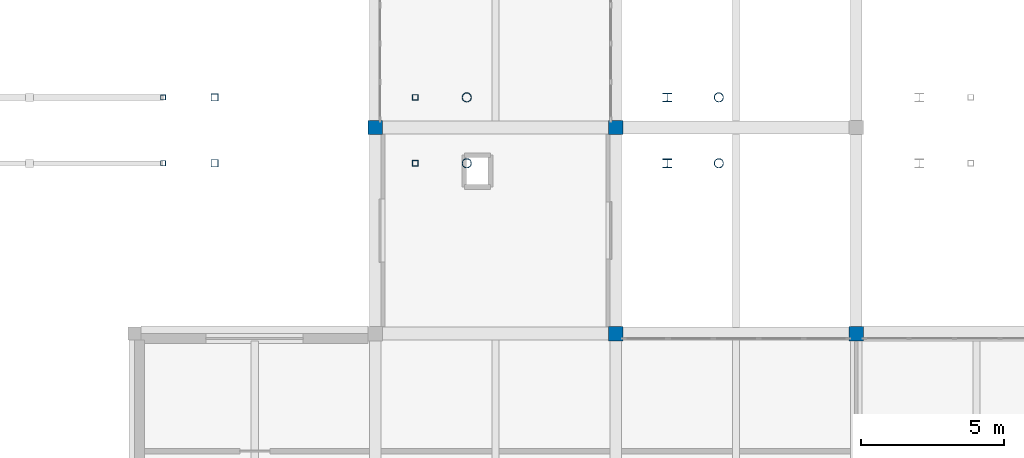
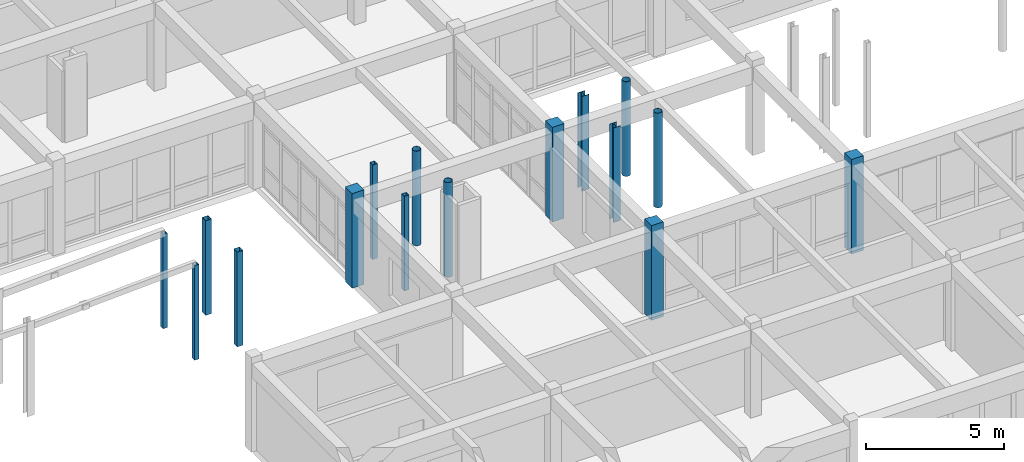
# One storey, part 6 of 147: 16 columns.
"""IFC4 building model written with IfcOpenShell, lengths in metres."""

from ifc_helpers import new_model, si_unit, direction, frame, origin, origin_2d, place, context, subcontext, project, spatial, rectangle, hollow_rectangle, hollow_circle, i_section, extrude, material, material_profile, profile_set, type_object, element, save


model = new_model("IFC4")

# Units and contexts
model_context = context("Model", 3, precision=1e-05, world=origin(), true_north=direction((0.0, 1.0)))
body_context = subcontext(model_context, "Body", "Model", "MODEL_VIEW")
ifc_project = project(units=[si_unit("LENGTHUNIT", "METRE"), si_unit("AREAUNIT", "SQUARE_METRE"), si_unit("VOLUMEUNIT", "CUBIC_METRE"), si_unit("PLANEANGLEUNIT", "RADIAN"), si_unit("MASSUNIT", "GRAM", prefix="KILO")], contexts=[model_context])

# Site, building, storey
site_placement = place(None, origin())
site = spatial("IfcSite", under=ifc_project, at=site_placement, CompositionType="ELEMENT")
building_placement = place(site_placement, origin())
building = spatial("IfcBuilding", under=site, at=building_placement, Name="Malvenik Polytechnic", CompositionType="ELEMENT")
storey_placement = place(building_placement, frame((0.0, 0.0, 5.10009765625)))
storey = spatial("IfcBuildingStorey", under=building, at=storey_placement, Name="L01", CompositionType="ELEMENT", Elevation=5.10009765625)

# Columns
ifc_material_1 = material(Name="Concrete C35/45", Category="concrete")
ifc_material_profile_1 = material_profile(ifc_material_1, rectangle(XDim=0.5, YDim=0.5, at=origin_2d()), Name="RC COL 500x500")
ifc_profile_set_1 = profile_set([ifc_material_profile_1], Name="Concrete C35/45")
column_type_1 = type_object("IfcColumnType", Name="STR-COL-C-08", PredefinedType="COLUMN", material=ifc_profile_set_1)
for number, where, z_axis, x_axis, name in (
    (1, (75.60009765625, 43.199951171875, 0.0), (0.0, 0.0, 1.0), (1.0, 0.0, 0.0), "Column C-08 L01 (75.6,43.2)"),
    (2, (84.0, 36.0, 0.0), (0.0, 0.0, 1.0), (1.0, 0.0, 0.0), "Column C-08 L01 (84.0,36.0)"),
    (3, (84.0, 43.199951171875, 0.0), (0.0, 0.0, 1.0), (1.0, 0.0, 0.0), "Column C-08 L01 (84.0,43.2)"),
    (4, (92.39990234375, 36.0, 0.0), (0.0, 0.0, 1.0), (1.0, 0.0, 0.0), "Column C-08 L01 (92.4,36.0)"),
):
    element("IfcColumn", number, at=place(storey_placement, frame(where, z_axis=z_axis, x_axis=x_axis)), inside=storey, type_object=column_type_1, Name=name, PredefinedType="COLUMN", context=body_context, shape_type="SweptSolid", body=[
        extrude(rectangle(XDim=0.5, YDim=0.5, at=origin_2d()), origin(), (0.0, 0.0, 1.0), 4.199951171875),
    ])
ifc_material_2 = material(Name="Steel S355J2H", Category="steel")
ifc_material_profile_2 = material_profile(ifc_material_2, hollow_rectangle(XDim=0.25, YDim=0.25, WallThickness=0.010009765625, at=origin_2d()), Name="SHS 250x250x10.0")
ifc_profile_set_2 = profile_set([ifc_material_profile_2], Name="Steel S355J2H")
column_type_2 = type_object("IfcColumnType", Name="STR-SCOL-SC-01", PredefinedType="COLUMN", material=ifc_profile_set_2)
for number, where, z_axis, x_axis, name in (
    (5, (70.0, 41.949951171875, 0.0), (0.0, 0.0, 1.0), (1.0, 0.0, 0.0), "Bridge-Ramp Support Column SC-01 L01"),
    (6, (70.0, 44.25, 0.0), (0.0, 0.0, 1.0), (1.0, 0.0, 0.0), "Bridge-Ramp Support Column SC-01 L01"),
):
    element("IfcColumn", number, at=place(storey_placement, frame(where, z_axis=z_axis, x_axis=x_axis)), inside=storey, type_object=column_type_2, Name=name, PredefinedType="COLUMN", context=body_context, shape_type="SweptSolid", body=[
        extrude(hollow_rectangle(XDim=0.25, YDim=0.25, WallThickness=0.010009765625, at=origin_2d()), origin(), (0.0, 0.0, 1.0), 4.199951171875),
    ])
ifc_material_profile_3 = material_profile(ifc_material_2, hollow_rectangle(XDim=0.199951171875, YDim=0.199951171875, WallThickness=0.010009765625, at=origin_2d()), Name="SHS 200x200x10.0")
ifc_profile_set_3 = profile_set([ifc_material_profile_3], Name="Steel S355J2H")
column_type_3 = type_object("IfcColumnType", Name="STR-SCOL-SC-02", PredefinedType="COLUMN", material=ifc_profile_set_3)
for number, where, z_axis, x_axis, name in (
    (7, (77.0, 41.949951171875, 0.0), (0.0, 0.0, 1.0), (1.0, 0.0, 0.0), "Bridge-Ramp Support Column SC-02 L01"),
    (8, (77.0, 44.25, 0.0), (0.0, 0.0, 1.0), (1.0, 0.0, 0.0), "Bridge-Ramp Support Column SC-02 L01"),
):
    element("IfcColumn", number, at=place(storey_placement, frame(where, z_axis=z_axis, x_axis=x_axis)), inside=storey, type_object=column_type_3, Name=name, PredefinedType="COLUMN", context=body_context, shape_type="SweptSolid", body=[
        extrude(hollow_rectangle(XDim=0.199951171875, YDim=0.199951171875, WallThickness=0.010009765625, at=origin_2d()), origin(), (0.0, 0.0, 1.0), 4.199951171875),
    ])
ifc_material_profile_4 = material_profile(ifc_material_2, hollow_circle(Radius=0.161865234375, WallThickness=0.012451171875, at=origin_2d()), Name="CHS 323.9x12.5")
ifc_profile_set_4 = profile_set([ifc_material_profile_4], Name="Steel S355J2H")
column_type_4 = type_object("IfcColumnType", Name="STR-SCOL-SC-04", PredefinedType="COLUMN", material=ifc_profile_set_4)
for number, where, z_axis, x_axis, name in (
    (9, (78.800048828125, 41.949951171875, 0.0), (0.0, 0.0, 1.0), (1.0, 0.0, 0.0), "Bridge-Ramp Support Column SC-04 L01"),
    (10, (78.800048828125, 44.25, 0.0), (0.0, 0.0, 1.0), (1.0, 0.0, 0.0), "Bridge-Ramp Support Column SC-04 L01"),
    (11, (87.60009765625, 41.949951171875, 0.0), (0.0, 0.0, 1.0), (1.0, 0.0, 0.0), "Bridge-Ramp Support Column SC-04 L01"),
    (12, (87.60009765625, 44.25, 0.0), (0.0, 0.0, 1.0), (1.0, 0.0, 0.0), "Bridge-Ramp Support Column SC-04 L01"),
):
    element("IfcColumn", number, at=place(storey_placement, frame(where, z_axis=z_axis, x_axis=x_axis)), inside=storey, type_object=column_type_4, Name=name, PredefinedType="COLUMN", context=body_context, shape_type="SweptSolid", body=[
        extrude(hollow_circle(Radius=0.161865234375, WallThickness=0.012451171875, at=origin_2d()), origin(), (0.0, 0.0, 1.0), 4.199951171875),
    ])
ifc_material_3 = material(Name="Steel S355", Category="steel")
ifc_material_profile_5 = material_profile(ifc_material_3, i_section(OverallWidth=0.300048828125, OverallDepth=0.300048828125, WebThickness=0.010986328125, FlangeThickness=0.01904296875, FilletRadius=0.027099609375, at=origin_2d()), Name="HEB 300")
ifc_profile_set_5 = profile_set([ifc_material_profile_5], Name="Steel S355")
column_type_5 = type_object("IfcColumnType", Name="STR-SCOL-SC-05", PredefinedType="COLUMN", material=ifc_profile_set_5)
for number, where, z_axis, x_axis, name in (
    (13, (85.800048828125, 41.949951171875, 0.0), (0.0, 0.0, 1.0), (1.0, 0.0, 0.0), "Bridge-Ramp Support Column SC-05 L01"),
    (14, (85.800048828125, 44.25, 0.0), (0.0, 0.0, 1.0), (1.0, 0.0, 0.0), "Bridge-Ramp Support Column SC-05 L01"),
):
    element("IfcColumn", number, at=place(storey_placement, frame(where, z_axis=z_axis, x_axis=x_axis)), inside=storey, type_object=column_type_5, Name=name, PredefinedType="COLUMN", context=body_context, shape_type="SweptSolid", body=[
        extrude(i_section(OverallWidth=0.300048828125, OverallDepth=0.300048828125, WebThickness=0.010986328125, FlangeThickness=0.01904296875, FilletRadius=0.027099609375, at=origin_2d()), origin(), (0.0, 0.0, 1.0), 4.199951171875),
    ])
ifc_material_profile_6 = material_profile(ifc_material_2, hollow_rectangle(XDim=0.179931640625, YDim=0.179931640625, WallThickness=0.008056640625, at=origin_2d()), Name="SHS 180x180x8.0")
ifc_profile_set_6 = profile_set([ifc_material_profile_6], Name="Steel S355J2H")
column_type_6 = type_object("IfcColumnType", Name="STR-SCOL-SC-06", PredefinedType="COLUMN", material=ifc_profile_set_6)
for number, where, z_axis, x_axis, name in (
    (15, (68.199951171875, 41.949951171875, 0.0), (0.0, 0.0, 1.0), (1.0, 0.0, 0.0), "Bridge-Ramp Support Column SC-06 L01"),
    (16, (68.199951171875, 44.25, 0.0), (0.0, 0.0, 1.0), (1.0, 0.0, 0.0), "Bridge-Ramp Support Column SC-06 L01"),
):
    element("IfcColumn", number, at=place(storey_placement, frame(where, z_axis=z_axis, x_axis=x_axis)), inside=storey, type_object=column_type_6, Name=name, PredefinedType="COLUMN", context=body_context, shape_type="SweptSolid", body=[
        extrude(hollow_rectangle(XDim=0.179931640625, YDim=0.179931640625, WallThickness=0.008056640625, at=origin_2d()), origin(), (0.0, 0.0, 1.0), 4.199951171875),
    ])

save(model, "model.ifc")
